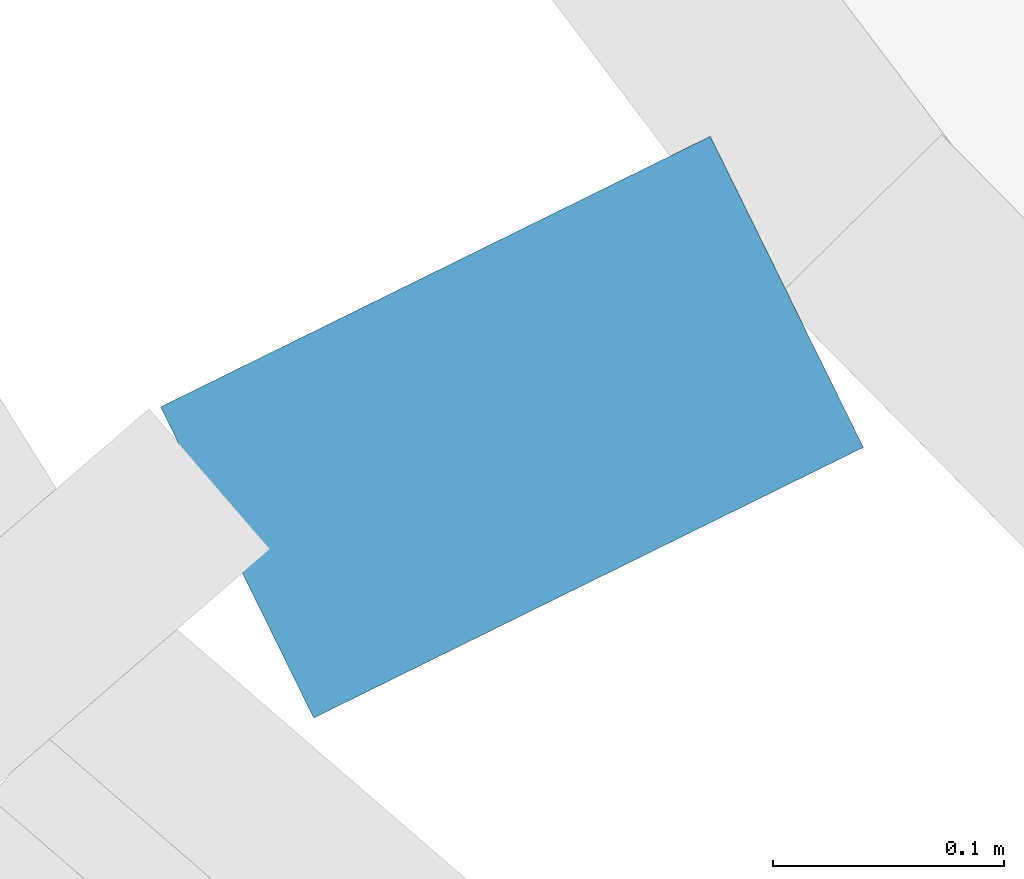
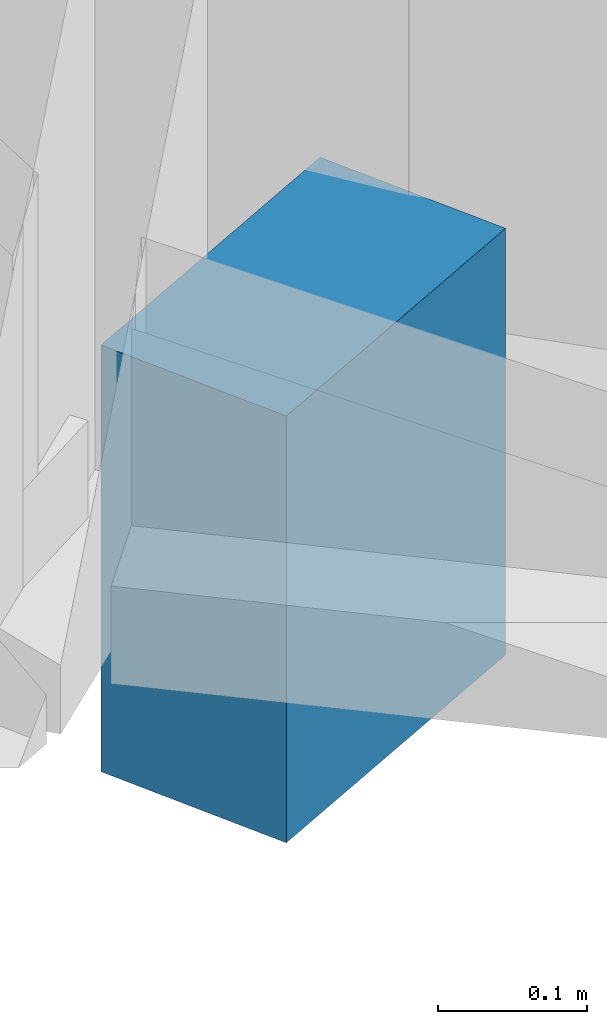
# One storey, part 15 of 27: 1 discrete accessory.
"""IFC4 building model written with IfcOpenShell, lengths in metres."""

from ifc_helpers import new_model, si_unit, direction, frame, origin, origin_2d, place, context, subcontext, project, spatial, rectangle, extrude, material, type_object, element, save


model = new_model("IFC4")

# Units and contexts
model_context = context("Model", 3, precision=1e-05, world=origin(), true_north=direction((0.0, 1.0)))
body_context = subcontext(model_context, "Body", "Model", "MODEL_VIEW")
ifc_project = project(units=[si_unit("LENGTHUNIT", "METRE"), si_unit("AREAUNIT", "SQUARE_METRE"), si_unit("VOLUMEUNIT", "CUBIC_METRE"), si_unit("PLANEANGLEUNIT", "RADIAN"), si_unit("MASSUNIT", "GRAM", prefix="KILO")], contexts=[model_context])

# Site, building, storey
site_placement = place(None, origin())
site = spatial("IfcSite", under=ifc_project, at=site_placement, CompositionType="ELEMENT")
building_placement = place(site_placement, origin())
building = spatial("IfcBuilding", under=site, at=building_placement, Name="Ghaith Harvest Tower", CompositionType="ELEMENT")
storey_placement = place(building_placement, frame((0.0, 0.0, 10.0)))
storey = spatial("IfcBuildingStorey", under=building, at=storey_placement, Name="L02", CompositionType="ELEMENT", Elevation=10.0)

# Discrete accessory
ifc_material = material(Name="Stainless steel grade 1.4401", Category="steel")
discrete_accessory_type = type_object("IfcDiscreteAccessoryType", Name="CURTAIN WALL BRACKET 265", PredefinedType="BRACKET", material=ifc_material)
discrete_accessory_placement = place(storey_placement, frame((-36.73681640625, -18.08251953125, -0.25), z_axis=(0.0, 0.0, 1.0), x_axis=(-0.897201221415, -0.441621974421, 0.0)))
element("IfcDiscreteAccessory", 1, at=discrete_accessory_placement, inside=storey, type_object=discrete_accessory_type, Name="CW-P bracket 3 bay 12 L02", PredefinedType="BRACKET", context=body_context, shape_type="SweptSolid", body=[
    extrude(rectangle(XDim=0.264892578125, YDim=0.14990234375, at=origin_2d()), origin(), (0.0, 0.0, 1.0), 0.35009765625),
])

save(model, "model.ifc")
